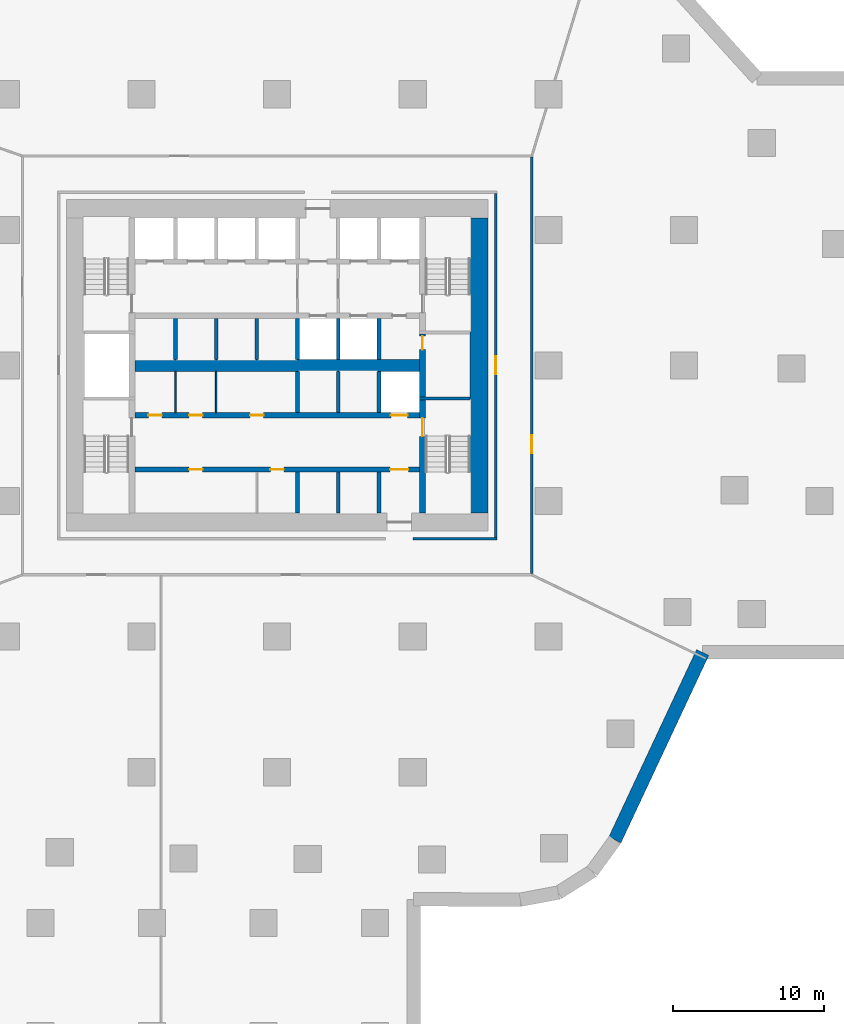
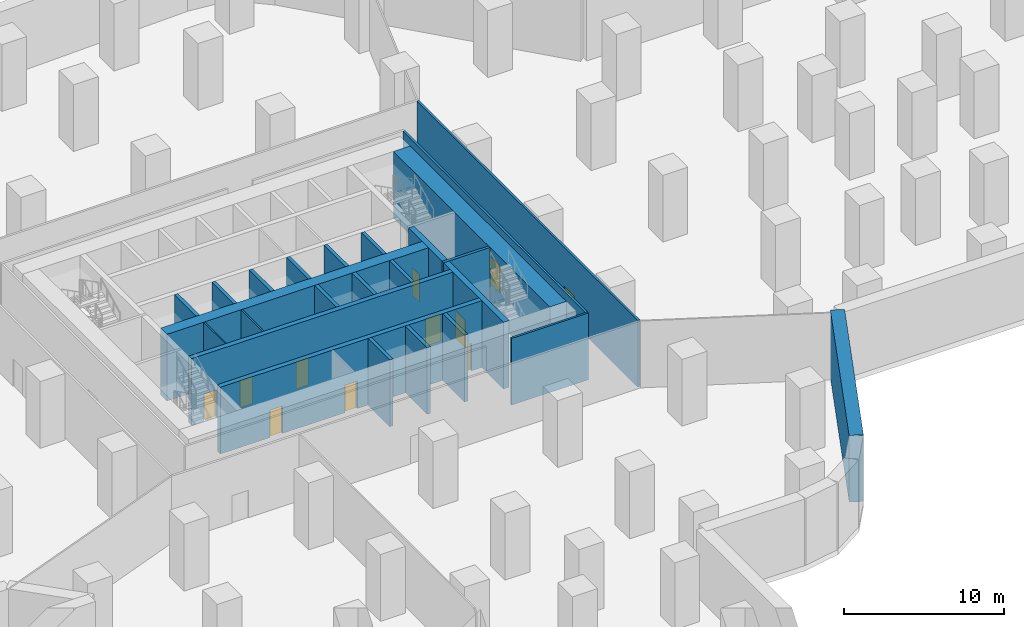
# One storey, part 4 of 9: 25 walls, 11 doors, 11 openings.
"""IFC4 building model written with IfcOpenShell, lengths in metres."""

from ifc_helpers import new_model, si_unit, direction, frame, frame_2d, origin, place, context, subcontext, project, spatial, rectangle, extrude, material, layer, layer_set, type_object, element, fill, save


model = new_model("IFC4")

# Units and contexts
model_context = context("Model", 3, precision=1e-05, world=origin(), true_north=direction((0.0, 1.0)))
body_context = subcontext(model_context, "Body", "Model", "MODEL_VIEW")
ifc_project = project(units=[si_unit("LENGTHUNIT", "METRE"), si_unit("AREAUNIT", "SQUARE_METRE"), si_unit("VOLUMEUNIT", "CUBIC_METRE"), si_unit("PLANEANGLEUNIT", "RADIAN"), si_unit("MASSUNIT", "GRAM", prefix="KILO")], contexts=[model_context])

# Site, building, storey
site_placement = place(None, origin())
site = spatial("IfcSite", under=ifc_project, at=site_placement, CompositionType="ELEMENT")
building_placement = place(site_placement, origin())
building = spatial("IfcBuilding", under=site, at=building_placement, Name="Dongbaek Canopy Tower", CompositionType="ELEMENT")
storey_placement = place(building_placement, frame((0.0, 0.0, -11.5)))
storey = spatial("IfcBuildingStorey", under=building, at=storey_placement, Name="B2", CompositionType="ELEMENT", Elevation=-11.5)

# Wall
ifc_material_1 = material(Name="Concrete C60/75", Category="concrete")
ifc_layer_1 = layer(ifc_material_1, 0.800048828125)
ifc_layer_set_1 = layer_set([ifc_layer_1], Name="Core central wall 800 Concrete C60/75")
wall_type_1 = type_object("IfcWallType", Name="Core central wall 800 Concrete C60/75", PredefinedType="SHEAR", material=ifc_layer_set_1)
wall_1_placement = place(storey_placement, frame((-9.449951171875, 0.0, 0.0), z_axis=(0.0, 0.0, 1.0), x_axis=(1.0, 0.0, 0.0)))
element("IfcWall", 1, at=wall_1_placement, inside=storey, type_object=wall_type_1, Name="Core wall", PredefinedType="SHEAR", context=body_context, shape_type="SweptSolid", body=[
    extrude(rectangle(XDim=18.89990234375, YDim=0.800048828125, at=frame_2d((9.449951171875, 0.0))), origin(), (0.0, 0.0, 1.0), 5.10009765625),
])

# Wall, openings, doors
ifc_material_2 = material(Name="Concrete C60/75", Category="concrete")
ifc_layer_2 = layer(ifc_material_2, 0.35009765625)
ifc_layer_set_2 = layer_set([ifc_layer_2], Name="Core lobby wall 350 Concrete C60/75")
wall_type_2 = type_object("IfcWallType", Name="Core lobby wall 350 Concrete C60/75", PredefinedType="SHEAR", material=ifc_layer_set_2)
wall_2_placement = place(storey_placement, frame((-9.449951171875, -3.300048828125, 0.0), z_axis=(0.0, 0.0, 1.0), x_axis=(1.0, 0.0, 0.0)))
wall_2 = element("IfcWall", 2, at=wall_2_placement, inside=storey, type_object=wall_type_2, Name="Core wall", PredefinedType="SHEAR", context=body_context, shape_type="SweptSolid", body=[
    extrude(rectangle(XDim=18.89990234375, YDim=0.35009765625, at=frame_2d((9.449951171875, 0.0))), origin(), (0.0, 0.0, 1.0), 5.10009765625),
])
opening_1_placement = place(wall_2_placement, frame((17.0, 0.0, 0.0)))
opening_1 = element("IfcOpeningElement", 3, at=opening_1_placement, cuts=wall_2, Name="Opening B2-D020", PredefinedType="OPENING", context=body_context, shape_type="SweptSolid", body=[
    extrude(rectangle(XDim=1.10009765625, YDim=2.10009765625, at=frame_2d((0.550048828125, 1.050048828125))), frame((0.0, 0.18505859375, 0.0), z_axis=(0.0, -1.0, 0.0), x_axis=(1.0, 0.0, 0.0)), (0.0, 0.0, 1.0), 0.3701171875),
])
opening_2_placement = place(wall_2_placement, frame((0.89990234375, 0.0, 0.0)))
opening_2 = element("IfcOpeningElement", 4, at=opening_2_placement, cuts=wall_2, Name="Opening B2-D023", PredefinedType="OPENING", context=body_context, shape_type="SweptSolid", body=[
    extrude(rectangle(XDim=0.89990234375, YDim=2.10009765625, at=frame_2d((0.449951171875, 1.050048828125))), frame((0.0, 0.18505859375, 0.0), z_axis=(0.0, -1.0, 0.0), x_axis=(1.0, 0.0, 0.0)), (0.0, 0.0, 1.0), 0.3701171875),
])
opening_3_placement = place(wall_2_placement, frame((3.60009765625, 0.0, 0.0)))
opening_3 = element("IfcOpeningElement", 5, at=opening_3_placement, cuts=wall_2, Name="Opening B2-D024", PredefinedType="OPENING", context=body_context, shape_type="SweptSolid", body=[
    extrude(rectangle(XDim=0.89990234375, YDim=2.10009765625, at=frame_2d((0.449951171875, 1.050048828125))), frame((0.0, 0.18505859375, 0.0), z_axis=(0.0, -1.0, 0.0), x_axis=(1.0, 0.0, 0.0)), (0.0, 0.0, 1.0), 0.3701171875),
])
opening_4_placement = place(wall_2_placement, frame((7.64990234375, 0.0, 0.0)))
opening_4 = element("IfcOpeningElement", 6, at=opening_4_placement, cuts=wall_2, Name="Opening B2-D025", PredefinedType="OPENING", context=body_context, shape_type="SweptSolid", body=[
    extrude(rectangle(XDim=0.89990234375, YDim=2.10009765625, at=frame_2d((0.449951171875, 1.050048828125))), frame((0.0, 0.18505859375, 0.0), z_axis=(0.0, -1.0, 0.0), x_axis=(1.0, 0.0, 0.0)), (0.0, 0.0, 1.0), 0.3701171875),
])
ifc_material_3 = material(Name="Steel", Category="steel")
door_type_1 = type_object("IfcDoorType", Name="Core room door 900 x 2100", OperationType="SINGLE_SWING_LEFT", PredefinedType="DOOR", material=ifc_material_3)
door_1_placement = place(opening_2_placement, origin())
door_1 = element("IfcDoor", 7, at=door_1_placement, inside=storey, type_object=door_type_1, Name="Door B2-D023", OperationType="SINGLE_SWING_RIGHT", OverallHeight=2.10009765625, OverallWidth=0.89990234375, PredefinedType="DOOR", context=body_context, shape_type="SweptSolid", body=[
    extrude(rectangle(XDim=0.89990234375, YDim=2.10009765625, at=frame_2d((0.449951171875, 1.050048828125))), frame((0.0, 0.02490234375, 0.0), z_axis=(0.0, -1.0, 0.0), x_axis=(1.0, 0.0, 0.0)), (0.0, 0.0, 1.0), 0.050048828125),
])
fill(opening_2, door_1)
door_2_placement = place(opening_3_placement, origin())
door_2 = element("IfcDoor", 8, at=door_2_placement, inside=storey, type_object=door_type_1, Name="Door B2-D024", OperationType="SINGLE_SWING_LEFT", OverallHeight=2.10009765625, OverallWidth=0.89990234375, PredefinedType="DOOR", context=body_context, shape_type="SweptSolid", body=[
    extrude(rectangle(XDim=0.89990234375, YDim=2.10009765625, at=frame_2d((0.449951171875, 1.050048828125))), frame((0.0, 0.02490234375, 0.0), z_axis=(0.0, -1.0, 0.0), x_axis=(1.0, 0.0, 0.0)), (0.0, 0.0, 1.0), 0.050048828125),
])
fill(opening_3, door_2)
door_3_placement = place(opening_4_placement, origin())
door_3 = element("IfcDoor", 9, at=door_3_placement, inside=storey, type_object=door_type_1, Name="Door B2-D025", OperationType="SINGLE_SWING_RIGHT", OverallHeight=2.10009765625, OverallWidth=0.89990234375, PredefinedType="DOOR", context=body_context, shape_type="SweptSolid", body=[
    extrude(rectangle(XDim=0.89990234375, YDim=2.10009765625, at=frame_2d((0.449951171875, 1.050048828125))), frame((0.0, 0.02490234375, 0.0), z_axis=(0.0, -1.0, 0.0), x_axis=(1.0, 0.0, 0.0)), (0.0, 0.0, 1.0), 0.050048828125),
])
fill(opening_4, door_3)
ifc_material_4 = material(Name="Stainless steel", Category="steel")
door_type_2 = type_object("IfcDoorType", Name="Lift landing door 1100 x 2100", OperationType="DOUBLE_DOOR_SLIDING", PredefinedType="DOOR", material=ifc_material_4)
door_4_placement = place(opening_1_placement, origin())
door_4 = element("IfcDoor", 10, at=door_4_placement, inside=storey, type_object=door_type_2, Name="Landing door SV2", OperationType="DOUBLE_DOOR_SLIDING", OverallHeight=2.10009765625, OverallWidth=1.10009765625, PredefinedType="DOOR", context=body_context, shape_type="SweptSolid", body=[
    extrude(rectangle(XDim=1.10009765625, YDim=2.10009765625, at=frame_2d((0.550048828125, 1.050048828125))), frame((0.0, 0.02490234375, 0.0), z_axis=(0.0, -1.0, 0.0), x_axis=(1.0, 0.0, 0.0)), (0.0, 0.0, 1.0), 0.050048828125),
])
fill(opening_1, door_4)

wall_3_placement = place(storey_placement, frame((9.449951171875, -6.89990234375, 0.0), z_axis=(0.0, 0.0, 1.0), x_axis=(-1.0, 0.0, 0.0)))
wall_3 = element("IfcWall", 11, at=wall_3_placement, inside=storey, type_object=wall_type_2, Name="Core wall", PredefinedType="SHEAR", context=body_context, shape_type="SweptSolid", body=[
    extrude(rectangle(XDim=18.89990234375, YDim=0.35009765625, at=frame_2d((9.449951171875, 0.0))), origin(), (0.0, 0.0, 1.0), 5.10009765625),
])
opening_5_placement = place(wall_3_placement, frame((0.75, 0.0, 0.0)))
opening_5 = element("IfcOpeningElement", 12, at=opening_5_placement, cuts=wall_3, Name="Opening B2-D022", PredefinedType="OPENING", context=body_context, shape_type="SweptSolid", body=[
    extrude(rectangle(XDim=1.199951171875, YDim=2.10009765625, at=frame_2d((0.60009765625, 1.050048828125))), frame((0.0, 0.18505859375, 0.0), z_axis=(0.0, -1.0, 0.0), x_axis=(1.0, 0.0, 0.0)), (0.0, 0.0, 1.0), 0.3701171875),
])
opening_6_placement = place(wall_3_placement, frame((14.39990234375, 0.0, 0.0)))
opening_6 = element("IfcOpeningElement", 13, at=opening_6_placement, cuts=wall_3, Name="Opening B2-D026", PredefinedType="OPENING", context=body_context, shape_type="SweptSolid", body=[
    extrude(rectangle(XDim=0.89990234375, YDim=2.10009765625, at=frame_2d((0.449951171875, 1.050048828125))), frame((0.0, 0.18505859375, 0.0), z_axis=(0.0, -1.0, 0.0), x_axis=(1.0, 0.0, 0.0)), (0.0, 0.0, 1.0), 0.3701171875),
])
opening_7_placement = place(wall_3_placement, frame((9.0, 0.0, 0.0)))
opening_7 = element("IfcOpeningElement", 14, at=opening_7_placement, cuts=wall_3, Name="Opening B2-D027", PredefinedType="OPENING", context=body_context, shape_type="SweptSolid", body=[
    extrude(rectangle(XDim=0.89990234375, YDim=2.10009765625, at=frame_2d((0.449951171875, 1.050048828125))), frame((0.0, 0.18505859375, 0.0), z_axis=(0.0, -1.0, 0.0), x_axis=(1.0, 0.0, 0.0)), (0.0, 0.0, 1.0), 0.3701171875),
])
door_5_placement = place(opening_6_placement, origin())
door_5 = element("IfcDoor", 15, at=door_5_placement, inside=storey, type_object=door_type_1, Name="Door B2-D026", OperationType="SINGLE_SWING_LEFT", OverallHeight=2.10009765625, OverallWidth=0.89990234375, PredefinedType="DOOR", context=body_context, shape_type="SweptSolid", body=[
    extrude(rectangle(XDim=0.89990234375, YDim=2.10009765625, at=frame_2d((0.449951171875, 1.050048828125))), frame((0.0, 0.02490234375, 0.0), z_axis=(0.0, -1.0, 0.0), x_axis=(1.0, 0.0, 0.0)), (0.0, 0.0, 1.0), 0.050048828125),
])
fill(opening_6, door_5)
door_6_placement = place(opening_7_placement, origin())
door_6 = element("IfcDoor", 16, at=door_6_placement, inside=storey, type_object=door_type_1, Name="Door B2-D027", OperationType="SINGLE_SWING_RIGHT", OverallHeight=2.10009765625, OverallWidth=0.89990234375, PredefinedType="DOOR", context=body_context, shape_type="SweptSolid", body=[
    extrude(rectangle(XDim=0.89990234375, YDim=2.10009765625, at=frame_2d((0.449951171875, 1.050048828125))), frame((0.0, 0.02490234375, 0.0), z_axis=(0.0, -1.0, 0.0), x_axis=(1.0, 0.0, 0.0)), (0.0, 0.0, 1.0), 0.050048828125),
])
fill(opening_7, door_6)
ifc_material_5 = material(Name="Steel", Category="steel")
door_type_3 = type_object("IfcDoorType", Name="Fire lobby door 1200 x 2100", OperationType="SINGLE_SWING_LEFT", PredefinedType="DOOR", material=ifc_material_5)
door_7_placement = place(opening_5_placement, origin())
door_7 = element("IfcDoor", 17, at=door_7_placement, inside=storey, type_object=door_type_3, Name="Door B2-D022", OperationType="SINGLE_SWING_LEFT", OverallHeight=2.10009765625, OverallWidth=1.199951171875, PredefinedType="DOOR", context=body_context, shape_type="SweptSolid", body=[
    extrude(rectangle(XDim=1.199951171875, YDim=2.10009765625, at=frame_2d((0.60009765625, 1.050048828125))), frame((0.0, 0.02490234375, 0.0), z_axis=(0.0, -1.0, 0.0), x_axis=(1.0, 0.0, 0.0)), (0.0, 0.0, 1.0), 0.050048828125),
])
fill(opening_5, door_7)

# Walls
ifc_material_6 = material(Name="Concrete C60/75", Category="concrete")
ifc_layer_3 = layer(ifc_material_6, 1.199951171875)
ifc_layer_set_3 = layer_set([ifc_layer_3], Name="Core outer wall 1200 Concrete C60/75")
wall_type_3 = type_object("IfcWallType", Name="Core outer wall 1200 Concrete C60/75", PredefinedType="SHEAR", material=ifc_layer_set_3)
wall_4_placement = place(storey_placement, frame((13.39990234375, 9.800048828125, 0.0), z_axis=(0.0, 0.0, 1.0), x_axis=(0.0, -1.0, 0.0)))
element("IfcWall", 18, at=wall_4_placement, inside=storey, type_object=wall_type_3, Name="Core wall", PredefinedType="SHEAR", context=body_context, shape_type="SweptSolid", body=[
    extrude(rectangle(XDim=19.60009765625, YDim=1.199951171875, at=frame_2d((9.800048828125, 0.0))), origin(), (0.0, 0.0, 1.0), 5.10009765625),
])
ifc_material_7 = material(Name="Gypsum board partition, steel stud, 2 x 15 mm fire board", Category="steel")
ifc_layer_4 = layer(ifc_material_7, 0.14990234375)
ifc_layer_set_4 = layer_set([ifc_layer_4], Name="Fire-rated partition 150 gypsum board")
wall_type_4 = type_object("IfcWallType", Name="Fire-rated partition 150 gypsum board", PredefinedType="PARTITIONING", material=ifc_layer_set_4)
wall_5_placement = place(storey_placement, frame((9.0, -11.5, 0.0), z_axis=(0.0, 0.0, 1.0), x_axis=(1.0, 0.0, 0.0)))
element("IfcWall", 19, at=wall_5_placement, inside=storey, type_object=wall_type_4, Name="Corridor partition", PredefinedType="PARTITIONING", context=body_context, shape_type="SweptSolid", body=[
    extrude(rectangle(XDim=5.574951171875, YDim=0.14990234375, at=frame_2d((2.78759765625, 0.0))), origin(), (0.0, 0.0, 1.0), 5.10009765625),
])

# Wall, opening, door
wall_6_placement = place(storey_placement, frame((16.89990234375, 13.824951171875, 0.0), z_axis=(0.0, 0.0, 1.0), x_axis=(0.0, -1.0, 0.0)))
wall_6 = element("IfcWall", 20, at=wall_6_placement, inside=storey, type_object=wall_type_4, Name="Corridor partition", PredefinedType="PARTITIONING", context=body_context, shape_type="SweptSolid", body=[
    extrude(rectangle(XDim=27.64990234375, YDim=0.14990234375, at=frame_2d((13.824951171875, 0.0))), origin(), (0.0, 0.0, 1.0), 5.10009765625),
])
opening_8_placement = place(wall_6_placement, frame((18.445068359375, 0.0, 0.0)))
opening_8 = element("IfcOpeningElement", 21, at=opening_8_placement, cuts=wall_6, Name="Opening B2-D004", PredefinedType="OPENING", context=body_context, shape_type="SweptSolid", body=[
    extrude(rectangle(XDim=1.199951171875, YDim=2.10009765625, at=frame_2d((0.60009765625, 1.050048828125))), frame((0.0, 0.0849609375, 0.0), z_axis=(0.0, -1.0, 0.0), x_axis=(1.0, 0.0, 0.0)), (0.0, 0.0, 1.0), 0.169921875),
])
ifc_material_8 = material(Name="Timber veneered door leaf", Category="wood")
door_type_4 = type_object("IfcDoorType", Name="Room door 1200 x 2100", OperationType="SINGLE_SWING_LEFT", PredefinedType="DOOR", material=ifc_material_8)
door_8_placement = place(opening_8_placement, origin())
door_8 = element("IfcDoor", 22, at=door_8_placement, inside=storey, type_object=door_type_4, Name="Door B2-D004", OperationType="SINGLE_SWING_LEFT", OverallHeight=2.10009765625, OverallWidth=1.199951171875, PredefinedType="DOOR", context=body_context, shape_type="SweptSolid", body=[
    extrude(rectangle(XDim=1.199951171875, YDim=2.10009765625, at=frame_2d((0.60009765625, 1.050048828125))), frame((0.0, 0.02490234375, 0.0), z_axis=(0.0, -1.0, 0.0), x_axis=(1.0, 0.0, 0.0)), (0.0, 0.0, 1.0), 0.050048828125),
])
fill(opening_8, door_8)

wall_7_placement = place(storey_placement, frame((14.5, -11.425048828125, 0.0), z_axis=(0.0, 0.0, 1.0), x_axis=(0.0, 1.0, 0.0)))
wall_7 = element("IfcWall", 23, at=wall_7_placement, inside=storey, type_object=wall_type_4, Name="Corridor partition", PredefinedType="PARTITIONING", context=body_context, shape_type="SweptSolid", body=[
    extrude(rectangle(XDim=22.85009765625, YDim=0.14990234375, at=frame_2d((11.425048828125, 0.0))), origin(), (0.0, 0.0, 1.0), 5.10009765625),
])
opening_9_placement = place(wall_7_placement, frame((10.824951171875, 0.0, 0.0)))
opening_9 = element("IfcOpeningElement", 24, at=opening_9_placement, cuts=wall_7, Name="Opening B2-D007", PredefinedType="OPENING", context=body_context, shape_type="SweptSolid", body=[
    extrude(rectangle(XDim=1.199951171875, YDim=2.10009765625, at=frame_2d((0.60009765625, 1.050048828125))), frame((0.0, 0.0849609375, 0.0), z_axis=(0.0, -1.0, 0.0), x_axis=(1.0, 0.0, 0.0)), (0.0, 0.0, 1.0), 0.169921875),
])
door_9_placement = place(opening_9_placement, origin())
door_9 = element("IfcDoor", 25, at=door_9_placement, inside=storey, type_object=door_type_4, Name="Door B2-D007", OperationType="SINGLE_SWING_RIGHT", OverallHeight=2.10009765625, OverallWidth=1.199951171875, PredefinedType="DOOR", context=body_context, shape_type="SweptSolid", body=[
    extrude(rectangle(XDim=1.199951171875, YDim=2.10009765625, at=frame_2d((0.60009765625, 1.050048828125))), frame((0.0, 0.02490234375, 0.0), z_axis=(0.0, -1.0, 0.0), x_axis=(1.0, 0.0, 0.0)), (0.0, 0.0, 1.0), 0.050048828125),
])
fill(opening_9, door_9)

# Walls
ifc_material_9 = material(Name="Concrete C60/75", Category="concrete")
ifc_layer_5 = layer(ifc_material_9, 0.25)
ifc_layer_set_5 = layer_set([ifc_layer_5], Name="Lift pit wall 250 Concrete C60/75")
wall_type_5 = type_object("IfcWallType", Name="Lift pit wall 250 Concrete C60/75", PredefinedType="SHEAR", material=ifc_layer_set_5)
for number, where, z_axis, x_axis, name in (
    (26, (6.75, -9.800048828125, 0.0), (0.0, 0.0, 1.0), (0.0, 1.0, 0.0), "Lift pit wall"),
    (27, (6.75, -3.125, 0.0), (0.0, 0.0, 1.0), (0.0, 1.0, 0.0), "Lift pit wall"),
    (28, (4.050048828125, -9.800048828125, 0.0), (0.0, 0.0, 1.0), (0.0, 1.0, 0.0), "Lift pit wall"),
    (29, (4.050048828125, -3.125, 0.0), (0.0, 0.0, 1.0), (0.0, 1.0, 0.0), "Lift pit wall"),
    (30, (1.35009765625, -9.800048828125, 0.0), (0.0, 0.0, 1.0), (0.0, 1.0, 0.0), "Lift pit wall"),
    (31, (1.35009765625, -3.125, 0.0), (0.0, 0.0, 1.0), (0.0, 1.0, 0.0), "Lift pit wall"),
    (32, (1.35009765625, 0.39990234375, 0.0), (0.0, 0.0, 1.0), (0.0, 1.0, 0.0), "Lift pit wall"),
    (33, (-1.35009765625, 0.39990234375, 0.0), (0.0, 0.0, 1.0), (0.0, 1.0, 0.0), "Lift pit wall"),
    (34, (-4.050048828125, 0.39990234375, 0.0), (0.0, 0.0, 1.0), (0.0, 1.0, 0.0), "Lift pit wall"),
    (35, (-6.75, 0.39990234375, 0.0), (0.0, 0.0, 1.0), (0.0, 1.0, 0.0), "Lift pit wall"),
):
    element("IfcWall", number, at=place(storey_placement, frame(where, z_axis=z_axis, x_axis=x_axis)), inside=storey, type_object=wall_type_5, Name=name, PredefinedType="SHEAR", context=body_context, shape_type="SweptSolid", body=[
        extrude(rectangle(XDim=2.72509765625, YDim=0.25, at=frame_2d((1.362548828125, 0.0))), origin(), (0.0, 0.0, 1.0), 5.10009765625),
    ])
ifc_material_10 = material(Name="Concrete C40/50", Category="concrete")
ifc_layer_6 = layer(ifc_material_10, 0.25)
ifc_layer_set_6 = layer_set([ifc_layer_6], Name="Lift shaft wall 250 Concrete C40/50")
wall_type_6 = type_object("IfcWallType", Name="Lift shaft wall 250 Concrete C40/50", PredefinedType="SOLIDWALL", material=ifc_layer_set_6)
for number, where, z_axis, x_axis, name in (
    (36, (6.75, 0.39990234375, 0.0), (0.0, 0.0, 1.0), (0.0, 1.0, 0.0), "Lift shaft wall"),
    (37, (4.050048828125, 0.39990234375, 0.0), (0.0, 0.0, 1.0), (0.0, 1.0, 0.0), "Lift shaft wall"),
):
    element("IfcWall", number, at=place(storey_placement, frame(where, z_axis=z_axis, x_axis=x_axis)), inside=storey, type_object=wall_type_6, Name=name, PredefinedType="SOLIDWALL", context=body_context, shape_type="SweptSolid", body=[
        extrude(rectangle(XDim=2.72509765625, YDim=0.25, at=frame_2d((1.362548828125, 0.0))), origin(), (0.0, 0.0, 1.0), 5.10009765625),
    ])
ifc_material_11 = material(Name="Gypsum board partition, steel stud, 2 x 12.5 mm board", Category="steel")
ifc_layer_7 = layer(ifc_material_11, 0.10009765625)
ifc_layer_set_7 = layer_set([ifc_layer_7], Name="Partition 100 gypsum board")
wall_type_7 = type_object("IfcWallType", Name="Partition 100 gypsum board", PredefinedType="PARTITIONING", material=ifc_layer_set_7)
for number, where, z_axis, x_axis, name in (
    (38, (-4.050048828125, -3.125, 0.0), (0.0, 0.0, 1.0), (0.0, 1.0, 0.0), "Core partition"),
    (39, (-6.75, -3.125, 0.0), (0.0, 0.0, 1.0), (0.0, 1.0, 0.0), "Core partition"),
):
    element("IfcWall", number, at=place(storey_placement, frame(where, z_axis=z_axis, x_axis=x_axis)), inside=storey, type_object=wall_type_7, Name=name, PredefinedType="PARTITIONING", context=body_context, shape_type="SweptSolid", body=[
        extrude(rectangle(XDim=2.72509765625, YDim=0.10009765625, at=frame_2d((1.362548828125, 0.0))), origin(), (0.0, 0.0, 1.0), 5.10009765625),
    ])
ifc_material_12 = material(Name="Concrete C40", Category="concrete")
ifc_layer_8 = layer(ifc_material_12, 0.89990234375)
ifc_layer_set_8 = layer_set([ifc_layer_8], Name="RC RETAINING WALL 900 Concrete C40")
wall_type_8 = type_object("IfcWallType", Name="RC RETAINING WALL 900 Concrete C40", PredefinedType="SHEAR", material=ifc_layer_set_8)
wall_8_placement = place(storey_placement, frame((28.243896484375, -19.050048828125, 0.0), z_axis=(0.0, 0.0, 1.0), x_axis=(-0.424123010069, -0.905604589393, 0.0)))
element("IfcWall", 40, at=wall_8_placement, inside=storey, type_object=wall_type_8, Name="RWALL:B2:19", PredefinedType="SHEAR", context=body_context, shape_type="SweptSolid", body=[
    extrude(rectangle(XDim=13.743896484375, YDim=0.89990234375, at=frame_2d((6.8720703125, 0.0))), origin(), (0.0, 0.0, 1.0), 5.10009765625),
])
ifc_material_13 = material(Name="Concrete C60/75", Category="concrete")
ifc_layer_9 = layer(ifc_material_13, 0.199951171875)
ifc_layer_set_9 = layer_set([ifc_layer_9], Name="Riser wall 200 Concrete C60/75")
wall_type_9 = type_object("IfcWallType", Name="Riser wall 200 Concrete C60/75", PredefinedType="SHEAR", material=ifc_layer_set_9)
wall_9_placement = place(storey_placement, frame((9.449951171875, -2.199951171875, 0.0), z_axis=(0.0, 0.0, 1.0), x_axis=(1.0, 0.0, 0.0)))
element("IfcWall", 41, at=wall_9_placement, inside=storey, type_object=wall_type_9, Name="Riser wall", PredefinedType="SHEAR", context=body_context, shape_type="SweptSolid", body=[
    extrude(rectangle(XDim=3.35009765625, YDim=0.199951171875, at=frame_2d((1.675048828125, 0.0))), origin(), (0.0, 0.0, 1.0), 5.10009765625),
])

# Wall, opening, door
ifc_material_14 = material(Name="Concrete C60/75", Category="concrete")
ifc_layer_10 = layer(ifc_material_14, 0.39990234375)
ifc_layer_set_10 = layer_set([ifc_layer_10], Name="Stair wall 400 Concrete C60/75")
wall_type_10 = type_object("IfcWallType", Name="Stair wall 400 Concrete C60/75", PredefinedType="SHEAR", material=ifc_layer_set_10)
wall_10_placement = place(storey_placement, frame((9.64990234375, -2.300048828125, 0.0), z_axis=(0.0, 0.0, 1.0), x_axis=(0.0, -1.0, 0.0)))
wall_10 = element("IfcWall", 42, at=wall_10_placement, inside=storey, type_object=wall_type_10, Name="Stair wall", PredefinedType="SHEAR", context=body_context, shape_type="SweptSolid", body=[
    extrude(rectangle(XDim=7.5, YDim=0.39990234375, at=frame_2d((3.75, 0.0))), origin(), (0.0, 0.0, 1.0), 5.10009765625),
])
opening_10_placement = place(wall_10_placement, frame((1.199951171875, 0.0, 0.0)))
opening_10 = element("IfcOpeningElement", 43, at=opening_10_placement, cuts=wall_10, Name="Opening B2-D030", PredefinedType="OPENING", context=body_context, shape_type="SweptSolid", body=[
    extrude(rectangle(XDim=1.199951171875, YDim=2.10009765625, at=frame_2d((0.60009765625, 1.050048828125))), frame((0.0, 0.2099609375, 0.0), z_axis=(0.0, -1.0, 0.0), x_axis=(1.0, 0.0, 0.0)), (0.0, 0.0, 1.0), 0.419921875),
])
ifc_material_15 = material(Name="Steel", Category="steel")
door_type_5 = type_object("IfcDoorType", Name="Stair door 1200 x 2100", OperationType="SINGLE_SWING_LEFT", PredefinedType="DOOR", material=ifc_material_15)
door_10_placement = place(opening_10_placement, origin())
door_10 = element("IfcDoor", 44, at=door_10_placement, inside=storey, type_object=door_type_5, Name="Stair B door", OperationType="SINGLE_SWING_RIGHT", OverallHeight=2.10009765625, OverallWidth=1.199951171875, PredefinedType="DOOR", context=body_context, shape_type="SweptSolid", body=[
    extrude(rectangle(XDim=1.199951171875, YDim=2.10009765625, at=frame_2d((0.60009765625, 1.050048828125))), frame((0.0, 0.02490234375, 0.0), z_axis=(0.0, -1.0, 0.0), x_axis=(1.0, 0.0, 0.0)), (0.0, 0.0, 1.0), 0.050048828125),
])
fill(opening_10, door_10)

wall_11_placement = place(storey_placement, frame((9.64990234375, 2.10009765625, 0.0), z_axis=(0.0, 0.0, 1.0), x_axis=(0.0, -1.0, 0.0)))
wall_11 = element("IfcWall", 45, at=wall_11_placement, inside=storey, type_object=wall_type_10, Name="Stair wall", PredefinedType="SHEAR", context=body_context, shape_type="SweptSolid", body=[
    extrude(rectangle(XDim=4.2001953125, YDim=0.39990234375, at=frame_2d((2.10009765625, 0.0))), origin(), (0.0, 0.0, 1.0), 5.10009765625),
])
opening_11_placement = place(wall_11_placement, frame((0.14990234375, 0.0, 0.0)))
opening_11 = element("IfcOpeningElement", 46, at=opening_11_placement, cuts=wall_11, Name="Opening B2-D008", PredefinedType="OPENING", context=body_context, shape_type="SweptSolid", body=[
    extrude(rectangle(XDim=0.89990234375, YDim=2.10009765625, at=frame_2d((0.449951171875, 1.050048828125))), frame((0.0, 0.2099609375, 0.0), z_axis=(0.0, -1.0, 0.0), x_axis=(1.0, 0.0, 0.0)), (0.0, 0.0, 1.0), 0.419921875),
])
door_11_placement = place(opening_11_placement, origin())
door_11 = element("IfcDoor", 47, at=door_11_placement, inside=storey, type_object=door_type_1, Name="Door B2-D008", OperationType="SINGLE_SWING_RIGHT", OverallHeight=2.10009765625, OverallWidth=0.89990234375, PredefinedType="DOOR", context=body_context, shape_type="SweptSolid", body=[
    extrude(rectangle(XDim=0.89990234375, YDim=2.10009765625, at=frame_2d((0.449951171875, 1.050048828125))), frame((0.0, 0.02490234375, 0.0), z_axis=(0.0, -1.0, 0.0), x_axis=(1.0, 0.0, 0.0)), (0.0, 0.0, 1.0), 0.050048828125),
])
fill(opening_11, door_11)

save(model, "model.ifc")
